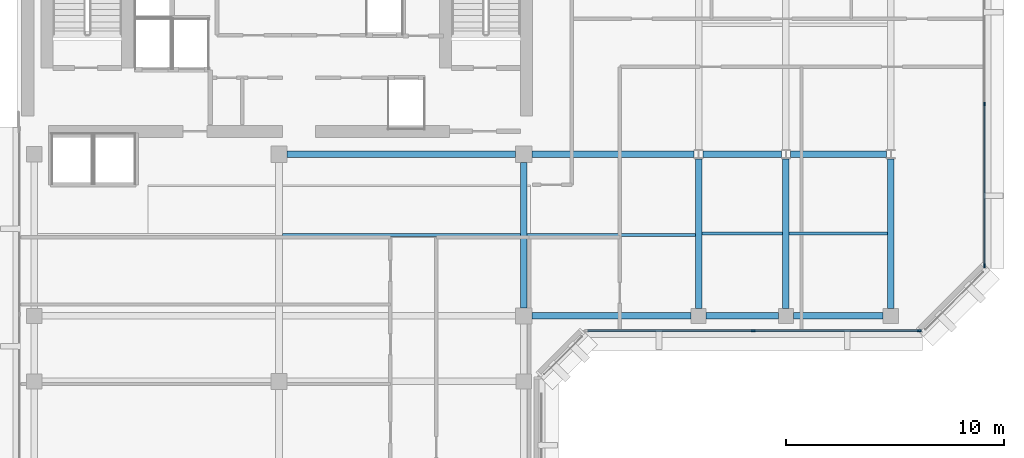
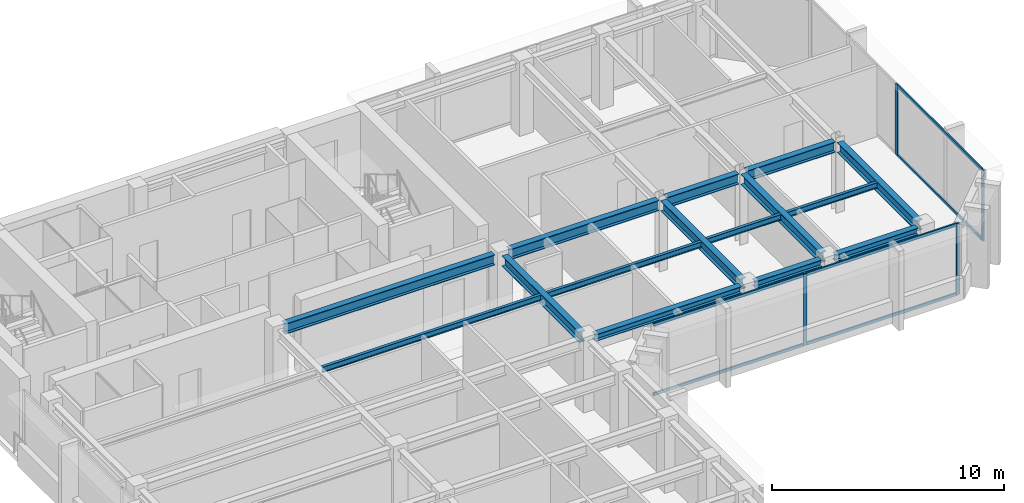
# One storey, part 3 of 11: 15 beams, 10 members, 2 elements without a shape of their own.
"""IFC4 building model written with IfcOpenShell, lengths in metres."""

from ifc_helpers import new_model, si_unit, direction, frame, origin, origin_2d, place, context, subcontext, project, spatial, rectangle, i_section, extrude, material, layer, layer_set, material_profile, profile_set, type_object, element, aggregate, save


model = new_model("IFC4")

# Units and contexts
model_context = context("Model", 3, precision=1e-05, world=origin(), true_north=direction((0.0, 1.0)))
body_context = subcontext(model_context, "Body", "Model", "MODEL_VIEW")
ifc_project = project(units=[si_unit("LENGTHUNIT", "METRE"), si_unit("AREAUNIT", "SQUARE_METRE"), si_unit("VOLUMEUNIT", "CUBIC_METRE"), si_unit("PLANEANGLEUNIT", "RADIAN"), si_unit("MASSUNIT", "GRAM", prefix="KILO")], contexts=[model_context])

# Site, building, storey
site_placement = place(None, origin())
site = spatial("IfcSite", under=ifc_project, at=site_placement, CompositionType="ELEMENT")
building_placement = place(site_placement, origin())
building = spatial("IfcBuilding", under=site, at=building_placement, Name="Kefirva Bronze Tower", CompositionType="ELEMENT")
storey_placement = place(building_placement, frame((0.0, 0.0, 315.81005859375)))
storey = spatial("IfcBuildingStorey", under=building, at=storey_placement, Name="L77", CompositionType="ELEMENT", Elevation=315.81005859375)

# Curtain wall, members
ifc_material_1 = material(Name="Bronze anodised aluminium", Category="aluminium")
ifc_layer = layer(ifc_material_1, 0.179931640625, Name="Bronze anodised aluminium")
ifc_layer_set = layer_set([ifc_layer], Name="Bronze anodised aluminium")
curtain_wall_type = type_object("IfcCurtainWallType", Name="Unitised Bronze Ribbon Curtain Wall Zone 4", PredefinedType="USERDEFINED", material=ifc_layer_set)
curtain_wall_1_placement = place(storey_placement, origin())
curtain_wall_1 = element("IfcCurtainWall", 1, at=curtain_wall_1_placement, inside=storey, type_object=curtain_wall_type, Name="L77 Curtain Wall 2", ObjectType="UNITISED CURTAIN WALL", PredefinedType="USERDEFINED")
ifc_material_profile_1 = material_profile(ifc_material_1, rectangle(XDim=0.074951171875, YDim=0.179931640625, at=origin_2d()), Name="ALU 75x180")
ifc_profile_set_1 = profile_set([ifc_material_profile_1], Name="Bronze anodised aluminium")
member_type_1 = type_object("IfcMemberType", Name="Bronze Mullion 75x180", PredefinedType="MULLION", material=ifc_profile_set_1)
member_1_placement = place(storey_placement, frame((33.699951171875, 25.1201171875, 0.0), z_axis=(0.0, 0.0, 1.0), x_axis=(0.0, 1.0, 0.0)))
member_1 = element("IfcMember", 2, at=member_1_placement, type_object=member_type_1, Name="CW-04 mullion 2", PredefinedType="MULLION", context=body_context, shape_type="SweptSolid", body=[
    extrude(rectangle(XDim=0.074951171875, YDim=0.179931640625, at=origin_2d()), origin(), (0.0, 0.0, 1.0), 3.739990234375),
])
member_2_placement = place(storey_placement, frame((41.3076171875, 25.1201171875, 0.0), z_axis=(0.0, 0.0, 1.0), x_axis=(0.0, 1.0, 0.0)))
member_2 = element("IfcMember", 3, at=member_2_placement, type_object=member_type_1, Name="CW-04 mullion 3", PredefinedType="MULLION", context=body_context, shape_type="SweptSolid", body=[
    extrude(rectangle(XDim=0.074951171875, YDim=0.179931640625, at=origin_2d()), origin(), (0.0, 0.0, 1.0), 3.739990234375),
])

curtain_wall_2_placement = place(storey_placement, origin())
curtain_wall_2 = element("IfcCurtainWall", 4, at=curtain_wall_2_placement, inside=storey, type_object=curtain_wall_type, Name="L77 Curtain Wall 3", ObjectType="UNITISED CURTAIN WALL", PredefinedType="USERDEFINED")
member_3_placement = place(storey_placement, frame((44.280029296875, 28.092529296875, 0.0), z_axis=(0.0, 0.0, 1.0), x_axis=(-1.0, 0.0, 0.0)))
member_3 = element("IfcMember", 5, at=member_3_placement, type_object=member_type_1, Name="CW-04 mullion 1", PredefinedType="MULLION", context=body_context, shape_type="SweptSolid", body=[
    extrude(rectangle(XDim=0.074951171875, YDim=0.179931640625, at=origin_2d()), origin(), (0.0, 0.0, 1.0), 3.739990234375),
])
member_4_placement = place(storey_placement, frame((44.280029296875, 35.5, 0.0), z_axis=(0.0, 0.0, 1.0), x_axis=(-1.0, 0.0, 0.0)))
member_4 = element("IfcMember", 6, at=member_4_placement, type_object=member_type_1, Name="CW-04 mullion 2", PredefinedType="MULLION", context=body_context, shape_type="SweptSolid", body=[
    extrude(rectangle(XDim=0.074951171875, YDim=0.179931640625, at=origin_2d()), origin(), (0.0, 0.0, 1.0), 3.739990234375),
])

# Member
ifc_material_profile_2 = material_profile(ifc_material_1, rectangle(XDim=0.074951171875, YDim=0.14990234375, at=origin_2d()), Name="ALU 75x150")
ifc_profile_set_2 = profile_set([ifc_material_profile_2], Name="Bronze anodised aluminium")
member_type_2 = type_object("IfcMemberType", Name="Bronze Transom 75x150", PredefinedType="USERDEFINED", material=ifc_profile_set_2)
member_5_placement = place(storey_placement, frame((26.1298828125, 25.1201171875, 0.037353515625), z_axis=(1.0, 0.0, 0.0), x_axis=(0.0, 1.0, 0.0)))
member_5 = element("IfcMember", 7, at=member_5_placement, type_object=member_type_2, Name="CW-04 transom 1.1", ObjectType="TRANSOM", PredefinedType="USERDEFINED", context=body_context, shape_type="SweptSolid", body=[
    extrude(rectangle(XDim=0.074951171875, YDim=0.14990234375, at=origin_2d()), origin(), (0.0, 0.0, 1.0), 7.53271484375),
])

member_6_placement = place(storey_placement, frame((26.1298828125, 25.1201171875, 3.702392578125), z_axis=(1.0, 0.0, 0.0), x_axis=(0.0, 1.0, 0.0)))
member_6 = element("IfcMember", 8, at=member_6_placement, type_object=member_type_2, Name="CW-04 transom 1.2", ObjectType="TRANSOM", PredefinedType="USERDEFINED", context=body_context, shape_type="SweptSolid", body=[
    extrude(rectangle(XDim=0.074951171875, YDim=0.14990234375, at=origin_2d()), origin(), (0.0, 0.0, 1.0), 7.53271484375),
])

member_7_placement = place(storey_placement, frame((33.737548828125, 25.1201171875, 0.037353515625), z_axis=(1.0, 0.0, 0.0), x_axis=(0.0, 1.0, 0.0)))
member_7 = element("IfcMember", 9, at=member_7_placement, type_object=member_type_2, Name="CW-04 transom 2.1", ObjectType="TRANSOM", PredefinedType="USERDEFINED", context=body_context, shape_type="SweptSolid", body=[
    extrude(rectangle(XDim=0.074951171875, YDim=0.14990234375, at=origin_2d()), origin(), (0.0, 0.0, 1.0), 7.532470703125),
])

member_8_placement = place(storey_placement, frame((33.737548828125, 25.1201171875, 3.702392578125), z_axis=(1.0, 0.0, 0.0), x_axis=(0.0, 1.0, 0.0)))
member_8 = element("IfcMember", 10, at=member_8_placement, type_object=member_type_2, Name="CW-04 transom 2.2", ObjectType="TRANSOM", PredefinedType="USERDEFINED", context=body_context, shape_type="SweptSolid", body=[
    extrude(rectangle(XDim=0.074951171875, YDim=0.14990234375, at=origin_2d()), origin(), (0.0, 0.0, 1.0), 7.532470703125),
])

aggregate(curtain_wall_1, [member_1, member_2, member_5, member_6, member_7, member_8])

member_9_placement = place(storey_placement, frame((44.280029296875, 28.1298828125, 0.037353515625), z_axis=(0.0, 1.0, 0.0), x_axis=(-1.0, 0.0, 0.0)))
member_9 = element("IfcMember", 11, at=member_9_placement, type_object=member_type_2, Name="CW-04 transom 1.1", ObjectType="TRANSOM", PredefinedType="USERDEFINED", context=body_context, shape_type="SweptSolid", body=[
    extrude(rectangle(XDim=0.074951171875, YDim=0.14990234375, at=origin_2d()), origin(), (0.0, 0.0, 1.0), 7.33251953125),
])

member_10_placement = place(storey_placement, frame((44.280029296875, 28.1298828125, 3.702392578125), z_axis=(0.0, 1.0, 0.0), x_axis=(-1.0, 0.0, 0.0)))
member_10 = element("IfcMember", 12, at=member_10_placement, type_object=member_type_2, Name="CW-04 transom 1.2", ObjectType="TRANSOM", PredefinedType="USERDEFINED", context=body_context, shape_type="SweptSolid", body=[
    extrude(rectangle(XDim=0.074951171875, YDim=0.14990234375, at=origin_2d()), origin(), (0.0, 0.0, 1.0), 7.33251953125),
])

aggregate(curtain_wall_2, [member_3, member_4, member_9, member_10])

# Beams
ifc_material_2 = material(Name="Steel S355", Category="steel")
ifc_material_profile_3 = material_profile(ifc_material_2, i_section(OverallWidth=0.14990234375, OverallDepth=0.300048828125, WebThickness=0.007080078125, FlangeThickness=0.0107421875, at=origin_2d()), Name="IPE 300")
ifc_profile_set_3 = profile_set([ifc_material_profile_3], Name="Steel S355")
beam_type_1 = type_object("IfcBeamType", Name="Steel Floor Joist IPE 300", PredefinedType="JOIST", material=ifc_profile_set_3)
beam_1_placement = place(storey_placement, frame((12.14990234375, 29.5, 3.58984375), z_axis=(1.0, 0.0, 0.0), x_axis=(0.0, 1.0, 0.0)))
element("IfcBeam", 13, at=beam_1_placement, inside=storey, type_object=beam_type_1, Name="L77 JST-L77-12-295", PredefinedType="JOIST", context=body_context, shape_type="SweptSolid", body=[
    extrude(i_section(OverallWidth=0.14990234375, OverallDepth=0.300048828125, WebThickness=0.007080078125, FlangeThickness=0.0107421875, at=origin_2d()), origin(), (0.0, 0.0, 1.0), 10.900146484375),
])
beam_2_placement = place(storey_placement, frame((23.35009765625, 29.5, 3.58984375), z_axis=(1.0, 0.0, 0.0), x_axis=(0.0, 1.0, 0.0)))
element("IfcBeam", 14, at=beam_2_placement, inside=storey, type_object=beam_type_1, Name="L77 JST-L77-23-295", PredefinedType="JOIST", context=body_context, shape_type="SweptSolid", body=[
    extrude(i_section(OverallWidth=0.14990234375, OverallDepth=0.300048828125, WebThickness=0.007080078125, FlangeThickness=0.0107421875, at=origin_2d()), origin(), (0.0, 0.0, 1.0), 7.699951171875),
])
beam_3_placement = place(storey_placement, frame((31.35009765625, 29.571044921875, 3.58984375), z_axis=(1.0, 0.0, 0.0), x_axis=(0.0, 1.0, 0.0)))
element("IfcBeam", 15, at=beam_3_placement, inside=storey, type_object=beam_type_1, Name="L77 JST-L77-31-295", PredefinedType="JOIST", context=body_context, shape_type="SweptSolid", body=[
    extrude(i_section(OverallWidth=0.14990234375, OverallDepth=0.300048828125, WebThickness=0.007080078125, FlangeThickness=0.0107421875, at=origin_2d()), origin(), (0.0, 0.0, 1.0), 3.699951171875),
])
beam_4_placement = place(storey_placement, frame((35.35009765625, 29.571044921875, 3.58984375), z_axis=(1.0, 0.0, 0.0), x_axis=(0.0, 1.0, 0.0)))
element("IfcBeam", 16, at=beam_4_placement, inside=storey, type_object=beam_type_1, Name="L77 JST-L77-35-295", PredefinedType="JOIST", context=body_context, shape_type="SweptSolid", body=[
    extrude(i_section(OverallWidth=0.14990234375, OverallDepth=0.300048828125, WebThickness=0.007080078125, FlangeThickness=0.0107421875, at=origin_2d()), origin(), (0.0, 0.0, 1.0), 4.5),
])
ifc_material_profile_4 = material_profile(ifc_material_2, i_section(OverallWidth=0.300048828125, OverallDepth=0.550048828125, WebThickness=0.014892578125, FlangeThickness=0.029052734375, at=origin_2d()), Name="HEB 550")
ifc_profile_set_4 = profile_set([ifc_material_profile_4], Name="Steel S355")
beam_type_2 = type_object("IfcBeamType", Name="Steel Girder HEB 550", PredefinedType="USERDEFINED", material=ifc_profile_set_4)
beam_5_placement = place(storey_placement, frame((12.3701171875, 33.199951171875, 3.46484375), z_axis=(1.0, 0.0, 0.0), x_axis=(0.0, 1.0, 0.0)))
element("IfcBeam", 17, at=beam_5_placement, inside=storey, type_object=beam_type_2, Name="L77 BM-L77-EW-12-332", ObjectType="GIRDER", PredefinedType="USERDEFINED", context=body_context, shape_type="SweptSolid", body=[
    extrude(i_section(OverallWidth=0.300048828125, OverallDepth=0.550048828125, WebThickness=0.014892578125, FlangeThickness=0.029052734375, at=origin_2d()), origin(), (0.0, 0.0, 1.0), 10.4599609375),
])
beam_6_placement = place(storey_placement, frame((23.570068359375, 33.199951171875, 3.46484375), z_axis=(1.0, 0.0, 0.0), x_axis=(0.0, 1.0, 0.0)))
element("IfcBeam", 18, at=beam_6_placement, inside=storey, type_object=beam_type_2, Name="L77 BM-L77-EW-23-332", ObjectType="GIRDER", PredefinedType="USERDEFINED", context=body_context, shape_type="SweptSolid", body=[
    extrude(i_section(OverallWidth=0.300048828125, OverallDepth=0.550048828125, WebThickness=0.014892578125, FlangeThickness=0.029052734375, at=origin_2d()), origin(), (0.0, 0.0, 1.0), 7.427001953125),
])
beam_7_placement = place(storey_placement, frame((31.403076171875, 33.199951171875, 3.46484375), z_axis=(1.0, 0.0, 0.0), x_axis=(0.0, 1.0, 0.0)))
element("IfcBeam", 19, at=beam_7_placement, inside=storey, type_object=beam_type_2, Name="L77 BM-L77-EW-31-332", ObjectType="GIRDER", PredefinedType="USERDEFINED", context=body_context, shape_type="SweptSolid", body=[
    extrude(i_section(OverallWidth=0.300048828125, OverallDepth=0.550048828125, WebThickness=0.014892578125, FlangeThickness=0.029052734375, at=origin_2d()), origin(), (0.0, 0.0, 1.0), 3.593994140625),
])
beam_8_placement = place(storey_placement, frame((35.403076171875, 33.199951171875, 3.46484375), z_axis=(1.0, 0.0, 0.0), x_axis=(0.0, 1.0, 0.0)))
element("IfcBeam", 20, at=beam_8_placement, inside=storey, type_object=beam_type_2, Name="L77 BM-L77-EW-35-332", ObjectType="GIRDER", PredefinedType="USERDEFINED", context=body_context, shape_type="SweptSolid", body=[
    extrude(i_section(OverallWidth=0.300048828125, OverallDepth=0.550048828125, WebThickness=0.014892578125, FlangeThickness=0.029052734375, at=origin_2d()), origin(), (0.0, 0.0, 1.0), 4.39404296875),
])
beam_9_placement = place(storey_placement, frame((23.199951171875, 26.169921875, 3.46484375), z_axis=(0.0, 1.0, 0.0), x_axis=(-1.0, 0.0, 0.0)))
element("IfcBeam", 21, at=beam_9_placement, inside=storey, type_object=beam_type_2, Name="L77 BM-L77-NS-232-25", ObjectType="GIRDER", PredefinedType="USERDEFINED", context=body_context, shape_type="SweptSolid", body=[
    extrude(i_section(OverallWidth=0.300048828125, OverallDepth=0.550048828125, WebThickness=0.014892578125, FlangeThickness=0.029052734375, at=origin_2d()), origin(), (0.0, 0.0, 1.0), 6.66015625),
])
for number, where, z_axis, x_axis, name in (
    (22, (31.199951171875, 26.14990234375, 3.46484375), (0.0, 1.0, 0.0), (-1.0, 0.0, 0.0), "L77 BM-L77-NS-312-25"),
    (23, (35.199951171875, 26.14990234375, 3.46484375), (0.0, 1.0, 0.0), (-1.0, 0.0, 0.0), "L77 BM-L77-NS-352-25"),
    (24, (40.0, 26.14990234375, 3.46484375), (0.0, 1.0, 0.0), (-1.0, 0.0, 0.0), "L77 BM-L77-NS-400-25"),
):
    element("IfcBeam", number, at=place(storey_placement, frame(where, z_axis=z_axis, x_axis=x_axis)), inside=storey, type_object=beam_type_2, Name=name, ObjectType="GIRDER", PredefinedType="USERDEFINED", context=body_context, shape_type="SweptSolid", body=[
        extrude(i_section(OverallWidth=0.300048828125, OverallDepth=0.550048828125, WebThickness=0.014892578125, FlangeThickness=0.029052734375, at=origin_2d()), origin(), (0.0, 0.0, 1.0), 6.842041015625),
    ])
ifc_material_profile_5 = material_profile(ifc_material_2, i_section(OverallWidth=0.300048828125, OverallDepth=0.360107421875, WebThickness=0.012451171875, FlangeThickness=0.0224609375, at=origin_2d()), Name="HEB 360")
ifc_profile_set_5 = profile_set([ifc_material_profile_5], Name="Steel S355")
beam_type_3 = type_object("IfcBeamType", Name="Steel Spandrel HEB 360 Ext", PredefinedType="SPANDREL", material=ifc_profile_set_5)
beam_10_placement = place(storey_placement, frame((23.570068359375, 25.800048828125, 3.56005859375), z_axis=(1.0, 0.0, 0.0), x_axis=(0.0, 1.0, 0.0)))
element("IfcBeam", 25, at=beam_10_placement, inside=storey, type_object=beam_type_3, Name="L77 BM-L77-EW-23-258", PredefinedType="SPANDREL", context=body_context, shape_type="SweptSolid", body=[
    extrude(i_section(OverallWidth=0.300048828125, OverallDepth=0.360107421875, WebThickness=0.012451171875, FlangeThickness=0.0224609375, at=origin_2d()), origin(), (0.0, 0.0, 1.0), 7.280029296875),
])
beam_11_placement = place(storey_placement, frame((31.550048828125, 25.800048828125, 3.56005859375), z_axis=(1.0, 0.0, 0.0), x_axis=(0.0, 1.0, 0.0)))
element("IfcBeam", 26, at=beam_11_placement, inside=storey, type_object=beam_type_3, Name="L77 BM-L77-EW-31-258", PredefinedType="SPANDREL", context=body_context, shape_type="SweptSolid", body=[
    extrude(i_section(OverallWidth=0.300048828125, OverallDepth=0.360107421875, WebThickness=0.012451171875, FlangeThickness=0.0224609375, at=origin_2d()), origin(), (0.0, 0.0, 1.0), 3.300048828125),
])
beam_12_placement = place(storey_placement, frame((35.550048828125, 25.800048828125, 3.56005859375), z_axis=(1.0, 0.0, 0.0), x_axis=(0.0, 1.0, 0.0)))
element("IfcBeam", 27, at=beam_12_placement, inside=storey, type_object=beam_type_3, Name="L77 BM-L77-EW-35-258", PredefinedType="SPANDREL", context=body_context, shape_type="SweptSolid", body=[
    extrude(i_section(OverallWidth=0.300048828125, OverallDepth=0.360107421875, WebThickness=0.012451171875, FlangeThickness=0.0224609375, at=origin_2d()), origin(), (0.0, 0.0, 1.0), 4.099853515625),
])

save(model, "model.ifc")
